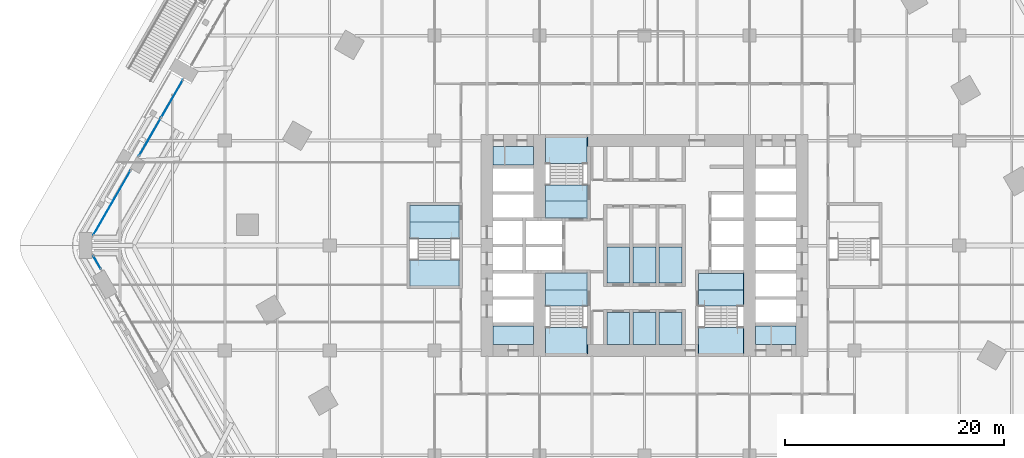
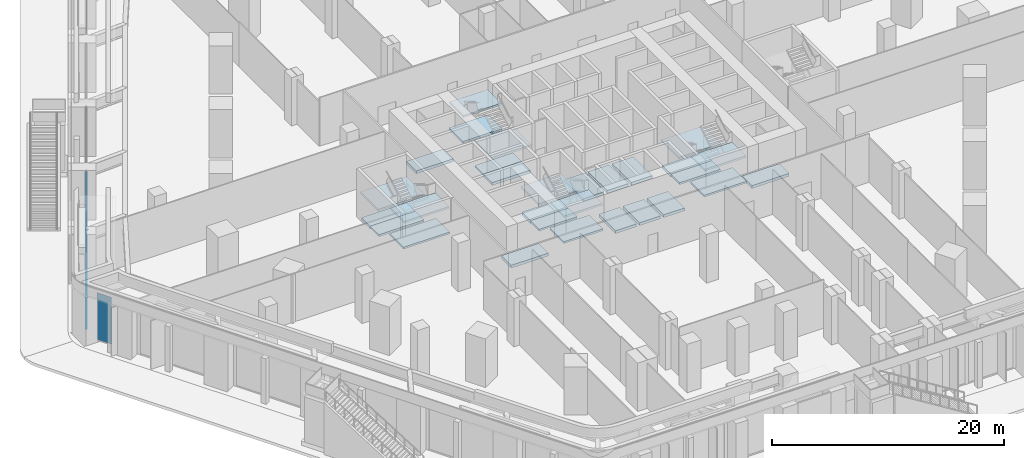
# One storey, part 13 of 34: 29 slabs, 4 plates, 7 elements without a shape of their own.
"""IFC4 building model written with IfcOpenShell, lengths in metres."""

from ifc_helpers import new_model, si_unit, direction, frame, origin, origin_2d, place, context, subcontext, project, spatial, polyline, rectangle, outline, extrude, material, layer, layer_set, type_object, element, aggregate, save


model = new_model("IFC4")

# Units and contexts
model_context = context("Model", 3, precision=1e-05, world=origin(), true_north=direction((0.0, 1.0)))
body_context = subcontext(model_context, "Body", "Model", "MODEL_VIEW")
ifc_project = project(units=[si_unit("LENGTHUNIT", "METRE"), si_unit("AREAUNIT", "SQUARE_METRE"), si_unit("VOLUMEUNIT", "CUBIC_METRE"), si_unit("PLANEANGLEUNIT", "RADIAN"), si_unit("MASSUNIT", "GRAM", prefix="KILO")], contexts=[model_context])

# Site, building, storey
site_placement = place(None, origin())
site = spatial("IfcSite", under=ifc_project, at=site_placement, CompositionType="ELEMENT")
building_placement = place(site_placement, origin())
building = spatial("IfcBuilding", under=site, at=building_placement, Name="Kolab Exchange Tower", CompositionType="ELEMENT")
storey_placement = place(building_placement, frame((0.0, 0.0, 7.0)))
storey = spatial("IfcBuildingStorey", under=building, at=storey_placement, Name="L01", CompositionType="ELEMENT", Elevation=7.0)

# Slabs
ifc_material_1 = material(Name="Concrete C35/45", Category="concrete")
ifc_layer_1 = layer(ifc_material_1, 0.300048828125)
ifc_layer_set_1 = layer_set([ifc_layer_1], Name="Concrete C35/45")
slab_type_1 = type_object("IfcSlabType", Name="FLOOR SLAB 300", PredefinedType="FLOOR", material=ifc_layer_set_1)
slab_1_placement = place(storey_placement, frame((0.0, 0.0, -0.300048828125)))
element("IfcSlab", 1, at=slab_1_placement, inside=storey, type_object=slab_type_1, Name="slab/L01/floor/2", PredefinedType="FLOOR", context=body_context, shape_type="SweptSolid", body=[
    extrude(outline(polyline([(-3.449951171875, -3.449951171875), (-1.35009765625, -3.449951171875), (-1.35009765625, -0.14990234375), (-3.449951171875, -0.14990234375), (-3.449951171875, -3.449951171875)])), origin(), (0.0, 0.0, 1.0), 0.300048828125),
])
slab_2_placement = place(storey_placement, frame((0.0, 0.0, -0.300048828125)))
element("IfcSlab", 2, at=slab_2_placement, inside=storey, type_object=slab_type_1, Name="slab/L01/floor/4", PredefinedType="FLOOR", context=body_context, shape_type="SweptSolid", body=[
    extrude(outline(polyline([(-1.050048828125, -3.449951171875), (1.050048828125, -3.449951171875), (1.050048828125, -0.14990234375), (-1.050048828125, -0.14990234375), (-1.050048828125, -3.449951171875)])), origin(), (0.0, 0.0, 1.0), 0.300048828125),
])
slab_3_placement = place(storey_placement, frame((0.0, 0.0, -0.300048828125)))
element("IfcSlab", 3, at=slab_3_placement, inside=storey, type_object=slab_type_1, Name="slab/L01/floor/6", PredefinedType="FLOOR", context=body_context, shape_type="SweptSolid", body=[
    extrude(outline(polyline([(1.35009765625, -0.14990234375), (1.35009765625, -3.449951171875), (3.449951171875, -3.449951171875), (3.449951171875, -0.14990234375), (1.35009765625, -0.14990234375)])), origin(), (0.0, 0.0, 1.0), 0.300048828125),
])
slab_4_placement = place(storey_placement, frame((0.0, 0.0, -0.300048828125)))
element("IfcSlab", 4, at=slab_4_placement, inside=storey, type_object=slab_type_1, Name="slab/L01/floor/8", PredefinedType="FLOOR", context=body_context, shape_type="SweptSolid", body=[
    extrude(outline(polyline([(-21.449951171875, 3.64990234375), (-21.449951171875, 2.14990234375), (-16.949951171875, 2.14990234375), (-16.949951171875, 3.64990234375), (-21.449951171875, 3.64990234375)])), origin(), (0.0, 0.0, 1.0), 0.300048828125),
])
slab_5_placement = place(storey_placement, frame((0.0, 0.0, -0.300048828125)))
element("IfcSlab", 5, at=slab_5_placement, inside=storey, type_object=slab_type_1, Name="slab/L01/floor/10", PredefinedType="FLOOR", context=body_context, shape_type="SweptSolid", body=[
    extrude(outline(polyline([(-13.85009765625, -7.35009765625), (-13.85009765625, -9.050048828125), (-10.14990234375, -9.050048828125), (-10.14990234375, -7.35009765625), (-13.85009765625, -7.35009765625)])), origin(), (0.0, 0.0, 1.0), 0.300048828125),
])
slab_6_placement = place(storey_placement, frame((0.0, 0.0, -0.300048828125)))
element("IfcSlab", 6, at=slab_6_placement, inside=storey, type_object=slab_type_1, Name="slab/L01/floor/11", PredefinedType="FLOOR", context=body_context, shape_type="SweptSolid", body=[
    extrude(outline(polyline([(-13.85009765625, 7.35009765625), (-10.14990234375, 7.35009765625), (-10.14990234375, 9.050048828125), (-13.85009765625, 9.050048828125), (-13.85009765625, 7.35009765625)])), origin(), (0.0, 0.0, 1.0), 0.300048828125),
])
slab_7_placement = place(storey_placement, frame((0.0, 0.0, -0.300048828125)))
element("IfcSlab", 7, at=slab_7_placement, inside=storey, type_object=slab_type_1, Name="slab/L01/floor/12", PredefinedType="FLOOR", context=body_context, shape_type="SweptSolid", body=[
    extrude(outline(polyline([(10.14990234375, -7.35009765625), (10.14990234375, -9.050048828125), (13.85009765625, -9.050048828125), (13.85009765625, -7.35009765625), (10.14990234375, -7.35009765625)])), origin(), (0.0, 0.0, 1.0), 0.300048828125),
])
slab_8_placement = place(storey_placement, frame((0.0, 0.0, -0.300048828125)))
element("IfcSlab", 8, at=slab_8_placement, inside=storey, type_object=slab_type_1, Name="slab/L01/floor/14", PredefinedType="FLOOR", context=body_context, shape_type="SweptSolid", body=[
    extrude(outline(polyline([(9.050048828125, -2.550048828125), (6.14990234375, -2.550048828125), (5.85009765625, -2.550048828125), (4.949951171875, -2.550048828125), (4.949951171875, -4.050048828125), (9.050048828125, -4.050048828125), (9.050048828125, -2.550048828125)])), origin(), (0.0, 0.0, 1.0), 0.300048828125),
])
slab_9_placement = place(storey_placement, frame((0.0, 0.0, -0.300048828125)))
element("IfcSlab", 9, at=slab_9_placement, inside=storey, type_object=slab_type_1, Name="slab/L01/floor/15", PredefinedType="FLOOR", context=body_context, shape_type="SweptSolid", body=[
    extrude(outline(polyline([(1.050048828125, -9.050048828125), (1.050048828125, -6.14990234375), (-1.050048828125, -6.14990234375), (-1.050048828125, -9.050048828125), (1.050048828125, -9.050048828125)])), origin(), (0.0, 0.0, 1.0), 0.300048828125),
])
slab_10_placement = place(storey_placement, frame((0.0, 0.0, -0.300048828125)))
element("IfcSlab", 10, at=slab_10_placement, inside=storey, type_object=slab_type_1, Name="slab/L01/floor/17", PredefinedType="FLOOR", context=body_context, shape_type="SweptSolid", body=[
    extrude(outline(polyline([(-1.35009765625, -6.14990234375), (-3.449951171875, -6.14990234375), (-3.449951171875, -9.050048828125), (-1.35009765625, -9.050048828125), (-1.35009765625, -6.14990234375)])), origin(), (0.0, 0.0, 1.0), 0.300048828125),
])
slab_11_placement = place(storey_placement, frame((0.0, 0.0, -0.300048828125)))
element("IfcSlab", 11, at=slab_11_placement, inside=storey, type_object=slab_type_1, Name="slab/L01/floor/19", PredefinedType="FLOOR", context=body_context, shape_type="SweptSolid", body=[
    extrude(outline(polyline([(1.35009765625, -6.14990234375), (1.35009765625, -9.050048828125), (3.449951171875, -9.050048828125), (3.449951171875, -6.14990234375), (1.35009765625, -6.14990234375)])), origin(), (0.0, 0.0, 1.0), 0.300048828125),
])
slab_12_placement = place(storey_placement, frame((0.0, 0.0, -0.300048828125)))
element("IfcSlab", 12, at=slab_12_placement, inside=storey, type_object=slab_type_1, Name="slab/L01/floor/21", PredefinedType="FLOOR", context=body_context, shape_type="SweptSolid", body=[
    extrude(outline(polyline([(-5.25, -4.050048828125), (-5.25, -2.550048828125), (-7.25, -2.550048828125), (-7.550048828125, -2.550048828125), (-9.050048828125, -2.550048828125), (-9.050048828125, -4.050048828125), (-5.25, -4.050048828125)])), origin(), (0.0, 0.0, 1.0), 0.300048828125),
])
slab_13_placement = place(storey_placement, frame((0.0, 0.0, -0.300048828125)))
element("IfcSlab", 13, at=slab_13_placement, inside=storey, type_object=slab_type_1, Name="slab/L01/floor/22", PredefinedType="FLOOR", context=body_context, shape_type="SweptSolid", body=[
    extrude(outline(polyline([(-5.25, 4.050048828125), (-9.050048828125, 4.050048828125), (-9.050048828125, 2.550048828125), (-7.550048828125, 2.550048828125), (-7.25, 2.550048828125), (-5.25, 2.550048828125), (-5.25, 4.050048828125)])), origin(), (0.0, 0.0, 1.0), 0.300048828125),
])

# Curtain wall, plate
ifc_material_2 = material(Name="Aluminium EN AW-6063 T6", Category="aluminium")
curtain_wall_type = type_object("IfcCurtainWallType", Name="PODIUM STRUCTURAL GLAZING CURTAIN WALL", PredefinedType="NOTDEFINED", material=ifc_material_2)
curtain_wall_1_placement = place(storey_placement, origin())
curtain_wall_1 = element("IfcCurtainWall", 14, at=curtain_wall_1_placement, inside=storey, type_object=curtain_wall_type, Name="cw/L01/F5-6", PredefinedType="NOTDEFINED")
ifc_material_3 = material(Name="Clear insulated glazing unit", Category="glass")
ifc_layer_2 = layer(ifc_material_3, 0.035888671875)
ifc_layer_set_2 = layer_set([ifc_layer_2], Name="Clear insulated glazing unit")
plate_type = type_object("IfcPlateType", Name="PODIUM STRUCTURAL GLAZING GLASS PANEL 36", PredefinedType="CURTAIN_PANEL", material=ifc_layer_set_2)
plate_1_placement = place(storey_placement, frame((-50.083740234375, -1.544677734375, 0.080078125), z_axis=(0.0, 0.0, 1.0), x_axis=(-0.499999980456, 0.866025415068, 0.0)))
plate_1 = element("IfcPlate", 15, at=plate_1_placement, type_object=plate_type, Name="CW5 panel 1.1", PredefinedType="CURTAIN_PANEL", context=body_context, shape_type="SweptSolid", body=[
    extrude(rectangle(XDim=1.428466796875, YDim=0.035888671875, at=origin_2d()), origin(), (0.0, 0.0, 1.0), 4.93994140625),
])
aggregate(curtain_wall_1, [plate_1])

curtain_wall_2_placement = place(storey_placement, origin())
curtain_wall_2 = element("IfcCurtainWall", 16, at=curtain_wall_2_placement, inside=storey, type_object=curtain_wall_type, Name="cw/L01/F6-1", PredefinedType="NOTDEFINED")
plate_2_placement = place(storey_placement, frame((-48.73388671875, 3.8828125, 0.080078125), z_axis=(0.0, 0.0, 1.0), x_axis=(0.49999994477, 0.866025435672, 0.0)))
plate_2 = element("IfcPlate", 17, at=plate_2_placement, type_object=plate_type, Name="CW5 panel 1.1", PredefinedType="CURTAIN_PANEL", context=body_context, shape_type="SweptSolid", body=[
    extrude(rectangle(XDim=6.828369140625, YDim=0.035888671875, at=origin_2d()), origin(), (0.0, 0.0, 1.0), 4.93994140625),
])
aggregate(curtain_wall_2, [plate_2])

# Curtain wall, plates
curtain_wall_3_placement = place(storey_placement, origin())
curtain_wall_3 = element("IfcCurtainWall", 18, at=curtain_wall_3_placement, inside=storey, type_object=curtain_wall_type, Name="cw/L01/F6-2", PredefinedType="NOTDEFINED")
plate_3_placement = place(storey_placement, frame((-45.244140625, 9.927001953125, 0.080078125), z_axis=(0.0, 0.0, 1.0), x_axis=(0.499999989571, 0.866025409806, 0.0)))
plate_3 = element("IfcPlate", 19, at=plate_3_placement, type_object=plate_type, Name="CW5 panel 1.1", PredefinedType="CURTAIN_PANEL", context=body_context, shape_type="SweptSolid", body=[
    extrude(rectangle(XDim=3.969970703125, YDim=0.035888671875, at=origin_2d()), origin(), (0.0, 0.0, 1.0), 4.93994140625),
])
plate_4_placement = place(storey_placement, frame((-43.21923828125, 13.4345703125, 0.080078125), z_axis=(0.0, 0.0, 1.0), x_axis=(0.499999989571, 0.866025409806, 0.0)))
plate_4 = element("IfcPlate", 20, at=plate_4_placement, type_object=plate_type, Name="CW5 panel 2.1", PredefinedType="CURTAIN_PANEL", context=body_context, shape_type="SweptSolid", body=[
    extrude(rectangle(XDim=3.969970703125, YDim=0.035888671875, at=origin_2d()), origin(), (0.0, 0.0, 1.0), 4.93994140625),
])
aggregate(curtain_wall_3, [plate_3, plate_4])

# Stair, slabs
ifc_material_4 = material(Name="Concrete C50/60", Category="concrete")
stair_type_1 = type_object("IfcStairType", Name="STAIR ST1 RISER 168.8", PredefinedType="DOUBLE_RETURN_STAIR", material=ifc_material_4)
stair_1_placement = place(storey_placement, origin())
stair_1 = element("IfcStair", 21, at=stair_1_placement, inside=storey, type_object=stair_type_1, Name="Stair 1", PredefinedType="DOUBLE_RETURN_STAIR")
ifc_layer_3 = layer(ifc_material_4, 0.199951171875)
ifc_layer_set_3 = layer_set([ifc_layer_3], Name="Concrete C50/60")
slab_type_2 = type_object("IfcSlabType", Name="STAIR LANDING 200", PredefinedType="LANDING", material=ifc_layer_set_3)
slab_14_placement = place(storey_placement, frame((0.0, 0.0, -0.199951171875)))
slab_14 = element("IfcSlab", 22, at=slab_14_placement, type_object=slab_type_2, Name="ST1 landing 1", PredefinedType="LANDING", context=body_context, shape_type="SweptSolid", body=[
    extrude(outline(polyline([(-9.050048828125, 4.050048828125), (-5.25, 4.050048828125), (-5.25, 5.550048828125), (-9.050048828125, 5.550048828125), (-9.050048828125, 4.050048828125)])), origin(), (0.0, 0.0, 1.0), 0.199951171875),
])
slab_15_placement = place(storey_placement, frame((0.0, 0.0, 1.14990234375)))
slab_15 = element("IfcSlab", 23, at=slab_15_placement, type_object=slab_type_2, Name="ST1 landing 2", PredefinedType="LANDING", context=body_context, shape_type="SweptSolid", body=[
    extrude(outline(polyline([(-9.110107421875, 7.510009765625), (-5.18994140625, 7.510009765625), (-5.18994140625, 9.909912109375), (-9.110107421875, 9.909912109375), (-9.110107421875, 7.510009765625)])), origin(), (0.0, 0.0, 1.0), 0.2001953125),
])
slab_16_placement = place(storey_placement, frame((0.0, 0.0, 2.5)))
slab_16 = element("IfcSlab", 24, at=slab_16_placement, type_object=slab_type_2, Name="ST1 landing 3", PredefinedType="LANDING", context=body_context, shape_type="SweptSolid", body=[
    extrude(outline(polyline([(-9.110107421875, 2.489990234375), (-5.18994140625, 2.489990234375), (-5.18994140625, 5.550048828125), (-9.110107421875, 5.550048828125), (-9.110107421875, 2.489990234375)])), origin(), (0.0, 0.0, 1.0), 0.199951171875),
])
slab_17_placement = place(storey_placement, frame((0.0, 0.0, 3.85009765625)))
slab_17 = element("IfcSlab", 25, at=slab_17_placement, type_object=slab_type_2, Name="ST1 landing 4", PredefinedType="LANDING", context=body_context, shape_type="SweptSolid", body=[
    extrude(outline(polyline([(-9.050048828125, 7.510009765625), (-5.25, 7.510009765625), (-5.25, 9.909912109375), (-9.050048828125, 9.909912109375), (-9.050048828125, 7.510009765625)])), origin(), (0.0, 0.0, 1.0), 0.199951171875),
])
aggregate(stair_1, [slab_14, slab_15, slab_16, slab_17])

stair_type_2 = type_object("IfcStairType", Name="STAIR ST3 RISER 168.8", PredefinedType="DOUBLE_RETURN_STAIR", material=ifc_material_4)
stair_2_placement = place(storey_placement, origin())
stair_2 = element("IfcStair", 26, at=stair_2_placement, inside=storey, type_object=stair_type_2, Name="Stair 3", PredefinedType="DOUBLE_RETURN_STAIR")
slab_18_placement = place(storey_placement, frame((0.0, 0.0, -0.199951171875)))
slab_18 = element("IfcSlab", 27, at=slab_18_placement, type_object=slab_type_2, Name="ST3 landing 1", PredefinedType="LANDING", context=body_context, shape_type="SweptSolid", body=[
    extrude(outline(polyline([(-9.050048828125, -5.550048828125), (-5.25, -5.550048828125), (-5.25, -4.050048828125), (-9.050048828125, -4.050048828125), (-9.050048828125, -5.550048828125)])), origin(), (0.0, 0.0, 1.0), 0.199951171875),
])
slab_19_placement = place(storey_placement, frame((0.0, 0.0, 1.14990234375)))
slab_19 = element("IfcSlab", 28, at=slab_19_placement, type_object=slab_type_2, Name="ST3 landing 2", PredefinedType="LANDING", context=body_context, shape_type="SweptSolid", body=[
    extrude(outline(polyline([(-9.110107421875, -9.909912109375), (-5.18994140625, -9.909912109375), (-5.18994140625, -7.510009765625), (-9.110107421875, -7.510009765625), (-9.110107421875, -9.909912109375)])), origin(), (0.0, 0.0, 1.0), 0.2001953125),
])
slab_20_placement = place(storey_placement, frame((0.0, 0.0, 2.5)))
slab_20 = element("IfcSlab", 29, at=slab_20_placement, type_object=slab_type_2, Name="ST3 landing 3", PredefinedType="LANDING", context=body_context, shape_type="SweptSolid", body=[
    extrude(outline(polyline([(-9.110107421875, -5.550048828125), (-5.18994140625, -5.550048828125), (-5.18994140625, -2.489990234375), (-9.110107421875, -2.489990234375), (-9.110107421875, -5.550048828125)])), origin(), (0.0, 0.0, 1.0), 0.199951171875),
])
slab_21_placement = place(storey_placement, frame((0.0, 0.0, 3.85009765625)))
slab_21 = element("IfcSlab", 30, at=slab_21_placement, type_object=slab_type_2, Name="ST3 landing 4", PredefinedType="LANDING", context=body_context, shape_type="SweptSolid", body=[
    extrude(outline(polyline([(-9.050048828125, -9.909912109375), (-5.25, -9.909912109375), (-5.25, -7.510009765625), (-9.050048828125, -7.510009765625), (-9.050048828125, -9.909912109375)])), origin(), (0.0, 0.0, 1.0), 0.199951171875),
])
aggregate(stair_2, [slab_18, slab_19, slab_20, slab_21])

stair_type_3 = type_object("IfcStairType", Name="STAIR ST2 RISER 168.8", PredefinedType="DOUBLE_RETURN_STAIR", material=ifc_material_4)
stair_3_placement = place(storey_placement, origin())
stair_3 = element("IfcStair", 31, at=stair_3_placement, inside=storey, type_object=stair_type_3, Name="Stair 2", PredefinedType="DOUBLE_RETURN_STAIR")
slab_22_placement = place(storey_placement, frame((0.0, 0.0, -0.199951171875)))
slab_22 = element("IfcSlab", 32, at=slab_22_placement, type_object=slab_type_2, Name="ST2 landing 1", PredefinedType="LANDING", context=body_context, shape_type="SweptSolid", body=[
    extrude(outline(polyline([(4.949951171875, -5.550048828125), (9.050048828125, -5.550048828125), (9.050048828125, -4.050048828125), (4.949951171875, -4.050048828125), (4.949951171875, -5.550048828125)])), origin(), (0.0, 0.0, 1.0), 0.199951171875),
])
slab_23_placement = place(storey_placement, frame((0.0, 0.0, 1.14990234375)))
slab_23 = element("IfcSlab", 33, at=slab_23_placement, type_object=slab_type_2, Name="ST2 landing 2", PredefinedType="LANDING", context=body_context, shape_type="SweptSolid", body=[
    extrude(outline(polyline([(4.889892578125, -9.909912109375), (9.110107421875, -9.909912109375), (9.110107421875, -7.510009765625), (4.889892578125, -7.510009765625), (4.889892578125, -9.909912109375)])), origin(), (0.0, 0.0, 1.0), 0.2001953125),
])
slab_24_placement = place(storey_placement, frame((0.0, 0.0, 2.5)))
slab_24 = element("IfcSlab", 34, at=slab_24_placement, type_object=slab_type_2, Name="ST2 landing 3", PredefinedType="LANDING", context=body_context, shape_type="SweptSolid", body=[
    extrude(outline(polyline([(4.889892578125, -5.550048828125), (9.110107421875, -5.550048828125), (9.110107421875, -2.489990234375), (4.889892578125, -2.489990234375), (4.889892578125, -5.550048828125)])), origin(), (0.0, 0.0, 1.0), 0.199951171875),
])
slab_25_placement = place(storey_placement, frame((0.0, 0.0, 3.85009765625)))
slab_25 = element("IfcSlab", 35, at=slab_25_placement, type_object=slab_type_2, Name="ST2 landing 4", PredefinedType="LANDING", context=body_context, shape_type="SweptSolid", body=[
    extrude(outline(polyline([(4.949951171875, -9.909912109375), (9.050048828125, -9.909912109375), (9.050048828125, -7.510009765625), (4.949951171875, -7.510009765625), (4.949951171875, -9.909912109375)])), origin(), (0.0, 0.0, 1.0), 0.199951171875),
])
aggregate(stair_3, [slab_22, slab_23, slab_24, slab_25])

stair_type_4 = type_object("IfcStairType", Name="STAIR ST5 RISER 168.8", PredefinedType="DOUBLE_RETURN_STAIR", material=ifc_material_4)
stair_4_placement = place(storey_placement, origin())
stair_4 = element("IfcStair", 36, at=stair_4_placement, inside=storey, type_object=stair_type_4, Name="Stair 5", PredefinedType="DOUBLE_RETURN_STAIR")
slab_26_placement = place(storey_placement, frame((0.0, 0.0, -0.199951171875)))
slab_26 = element("IfcSlab", 37, at=slab_26_placement, type_object=slab_type_2, Name="ST5 landing 1", PredefinedType="LANDING", context=body_context, shape_type="SweptSolid", body=[
    extrude(outline(polyline([(-21.449951171875, 0.64990234375), (-16.949951171875, 0.64990234375), (-16.949951171875, 2.14990234375), (-21.449951171875, 2.14990234375), (-21.449951171875, 0.64990234375)])), origin(), (0.0, 0.0, 1.0), 0.199951171875),
])
slab_27_placement = place(storey_placement, frame((0.0, 0.0, 1.14990234375)))
slab_27 = element("IfcSlab", 38, at=slab_27_placement, type_object=slab_type_2, Name="ST5 landing 2", PredefinedType="LANDING", context=body_context, shape_type="SweptSolid", body=[
    extrude(outline(polyline([(-21.510009765625, -3.7099609375), (-16.889892578125, -3.7099609375), (-16.889892578125, -1.31005859375), (-21.510009765625, -1.31005859375), (-21.510009765625, -3.7099609375)])), origin(), (0.0, 0.0, 1.0), 0.2001953125),
])
slab_28_placement = place(storey_placement, frame((0.0, 0.0, 2.5)))
slab_28 = element("IfcSlab", 39, at=slab_28_placement, type_object=slab_type_2, Name="ST5 landing 3", PredefinedType="LANDING", context=body_context, shape_type="SweptSolid", body=[
    extrude(outline(polyline([(-21.510009765625, 0.64990234375), (-16.889892578125, 0.64990234375), (-16.889892578125, 3.7099609375), (-21.510009765625, 3.7099609375), (-21.510009765625, 0.64990234375)])), origin(), (0.0, 0.0, 1.0), 0.199951171875),
])
slab_29_placement = place(storey_placement, frame((0.0, 0.0, 3.85009765625)))
slab_29 = element("IfcSlab", 40, at=slab_29_placement, type_object=slab_type_2, Name="ST5 landing 4", PredefinedType="LANDING", context=body_context, shape_type="SweptSolid", body=[
    extrude(outline(polyline([(-21.449951171875, -3.7099609375), (-16.949951171875, -3.7099609375), (-16.949951171875, -1.31005859375), (-21.449951171875, -1.31005859375), (-21.449951171875, -3.7099609375)])), origin(), (0.0, 0.0, 1.0), 0.199951171875),
])
aggregate(stair_4, [slab_26, slab_27, slab_28, slab_29])

save(model, "model.ifc")
